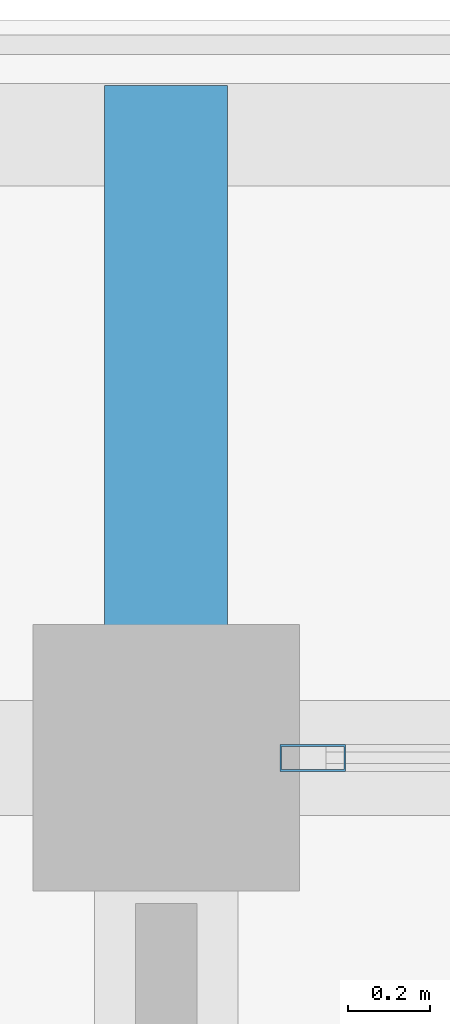
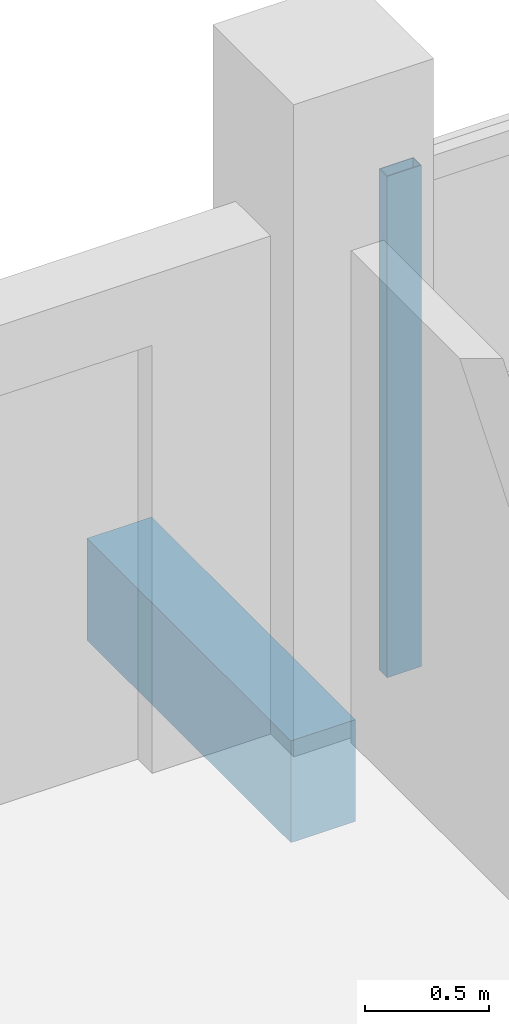
# One storey, part 14 of 76: 1 beam, 1 member, 1 element without a shape of its own.
"""IFC4 building model written with IfcOpenShell, lengths in metres."""

import ifcopenshell
import ifcopenshell.guid

model = None  # the IFC model being written
_history = None  # IfcOwnerHistory: only IFC2X3 demands one
_inside = {}  # id of a spatial element -> (the spatial element, [elements in it])
_under = {}  # id of a project, library or spatial element -> (it, [spatial elements below it])
_declared = {}  # id of a project -> (the project, [libraries it declares])
_typed = {}  # id of a type object -> (the type object, [elements of that type])
_made_of = {}  # id of a material, layer set ... -> (it, [elements and type objects made of it])


def new_model(schema):
    """Start an empty IFC model of exactly this schema.

    Asked for "IFC4X3", IfcOpenShell would pick the latest addendum, in which some entities
    have other attributes; the version numbers below select the first issue.
    IFC2X3 requires an IfcOwnerHistory on every rooted entity: one is made here for all.
    """
    global model, _history
    if schema == "IFC4X3":
        model = ifcopenshell.file(schema_version=(4, 3, 0, 0))
    else:
        model = ifcopenshell.file(schema=schema)
    _inside.clear()
    _under.clear()
    _declared.clear()
    _typed.clear()
    _made_of.clear()
    _history = None
    if model.schema == "IFC2X3":
        org = make("IfcOrganization", Name="unknown")
        user = make(
            "IfcPersonAndOrganization",
            ThePerson=make("IfcPerson", FamilyName="unknown"),
            TheOrganization=org,
        )
        app = make(
            "IfcApplication",
            ApplicationDeveloper=org,
            Version="unknown",
            ApplicationFullName="unknown",
            ApplicationIdentifier="unknown",
        )
        _history = make(
            "IfcOwnerHistory",
            OwningUser=user,
            OwningApplication=app,
            ChangeAction="ADDED",
            CreationDate=0,
        )
    return model


def make(cls, **values):
    """One entity of the class cls with the attributes given. An attribute that is None is left unset."""
    return model.create_entity(
        cls, **{name: value for name, value in values.items() if value is not None}
    )


def rooted(cls, **values):
    """An entity with a GlobalId (a new one), such as an element, a storey or a relation."""
    return make(cls, GlobalId=ifcopenshell.guid.new(), OwnerHistory=_history, **values)


def si_unit(unit_type, name, prefix=None):
    """IfcSIUnit, for example si_unit("LENGTHUNIT", "METRE", prefix="MILLI")."""
    return make("IfcSIUnit", UnitType=unit_type, Prefix=prefix, Name=name)


def assignment(units):
    """IfcUnitAssignment: the units of a project."""
    return None if units is None else make("IfcUnitAssignment", Units=units)


def point(xyz):
    """IfcCartesianPoint."""
    return None if xyz is None else make("IfcCartesianPoint", Coordinates=xyz)


def direction(xyz):
    """IfcDirection."""
    return None if xyz is None else make("IfcDirection", DirectionRatios=xyz)


def frame(location, z_axis=None, x_axis=None):
    """IfcAxis2Placement3D, a coordinate frame: its origin and axes. An axis left out is left unset."""
    return make(
        "IfcAxis2Placement3D",
        Location=point(location),
        Axis=direction(z_axis),
        RefDirection=direction(x_axis),
    )


def frame_2d(location, x_axis=None):
    """IfcAxis2Placement2D, a coordinate frame in the plane: its origin and x axis."""
    return make(
        "IfcAxis2Placement2D", Location=point(location), RefDirection=direction(x_axis)
    )


def origin():
    """The frame at (0, 0, 0) with its axes left unset."""
    return frame((0.0, 0.0, 0.0))


def origin_2d():
    """The frame at (0, 0) in the plane with its x axis left unset."""
    return frame_2d((0.0, 0.0))


def place(relative_to, where):
    """IfcLocalPlacement: puts the frame where relative to a parent placement (None: the world)."""
    return make(
        "IfcLocalPlacement", PlacementRelTo=relative_to, RelativePlacement=where
    )


def context(
    kind, dimensions, precision=None, world=None, true_north=None, identifier=None
):
    """IfcGeometricRepresentationContext, for example the 3D "Model" context."""
    return make(
        "IfcGeometricRepresentationContext",
        ContextIdentifier=identifier,
        ContextType=kind,
        CoordinateSpaceDimension=dimensions,
        Precision=precision,
        WorldCoordinateSystem=world,
        TrueNorth=true_north,
    )


def subcontext(parent, identifier, kind, view, scale=None):
    """IfcGeometricRepresentationSubContext, for example "Body" below "Model"."""
    return make(
        "IfcGeometricRepresentationSubContext",
        ContextIdentifier=identifier,
        ContextType=kind,
        ParentContext=parent,
        TargetScale=scale,
        TargetView=view,
    )


def project(units=None, contexts=None):
    """IfcProject with its units and contexts."""
    return rooted(
        "IfcProject",
        Name="project",
        RepresentationContexts=contexts,
        UnitsInContext=assignment(units),
    )


def spatial(cls, under=None, at=None, **own):
    """A site, building, storey or space (cls), placed at a placement, below another one or the project."""
    s = rooted(cls, ObjectPlacement=at, **own)
    if under is not None:
        _under.setdefault(under.id(), (under, []))[1].append(s)
    return s


def profile(cls, at=None, kind="AREA", **sizes):
    """A parametric profile (cls). Its sizes go by their IFC names, for example OverallWidth=200.0."""
    return make(cls, ProfileType=kind, Position=at, **sizes)


def rectangle(**sizes):
    """IfcRectangleProfileDef."""
    return profile("IfcRectangleProfileDef", **sizes)


def hollow_rectangle(**sizes):
    """IfcRectangleHollowProfileDef."""
    return profile("IfcRectangleHollowProfileDef", **sizes)


def extrude(swept, where, along, depth):
    """IfcExtrudedAreaSolid: the profile swept, set in the frame where, extruded along a direction by depth."""
    return make(
        "IfcExtrudedAreaSolid",
        SweptArea=swept,
        Position=where,
        ExtrudedDirection=direction(along),
        Depth=depth,
    )


def shape(context_of_items, identifier, shape_type, items):
    """IfcShapeRepresentation: the items that make up one representation, for example the "Body"."""
    return make(
        "IfcShapeRepresentation",
        ContextOfItems=context_of_items,
        RepresentationIdentifier=identifier,
        RepresentationType=shape_type,
        Items=items,
    )


def material(Name=None, Category=None):
    """IfcMaterial."""
    return make("IfcMaterial", Name=Name, Category=Category)


def material_profile(
    of_material, cross_section, Name=None, Category=None, Priority=None
):
    """IfcMaterialProfile: a cross section and its material."""
    return make(
        "IfcMaterialProfile",
        Name=Name,
        Material=of_material,
        Profile=cross_section,
        Priority=Priority,
        Category=Category,
    )


def profile_set(profiles, Name=None, composite=None):
    """IfcMaterialProfileSet."""
    return make(
        "IfcMaterialProfileSet",
        Name=Name,
        MaterialProfiles=profiles,
        CompositeProfile=composite,
    )


def made_of(thing, what):
    """Note that an element or type object is made of a material, layer set ...; save() writes the relation."""
    if what is not None:
        _made_of.setdefault(what.id(), (what, []))[1].append(thing)
    return thing


def type_object(cls, material=None, **own):
    """A type object (cls), such as IfcWallType, which elements share."""
    return made_of(rooted(cls, **own), material)


def element(
    cls,
    number,
    at=None,
    inside=None,
    cuts=None,
    type_object=None,
    material=None,
    context=None,
    identifier="Body",
    shape_type=None,
    held_by="IfcProductDefinitionShape",
    body=None,
    shapes=None,
    **own,
):
    """One element of the class cls, such as IfcWall. Its Tag is "e" and its number.

    at: its placement. inside: the storey or other place that contains it. cuts: it is an
    opening in that element (IfcRelVoidsElement). A single representation is given by context,
    identifier, shape_type and body (its items); several are given by shapes. held_by: the class
    of the entity that holds the representations. save() writes the other relations.
    """
    e = rooted(cls, Tag="e%d" % number, ObjectPlacement=at, **own)
    if body is not None:
        shapes = [shape(context, identifier, shape_type, body)]
    if shapes is not None:
        e.Representation = make(held_by, Representations=shapes)
    if inside is not None:
        _inside.setdefault(inside.id(), (inside, []))[1].append(e)
    if cuts is not None:
        rooted(
            "IfcRelVoidsElement", RelatingBuildingElement=cuts, RelatedOpeningElement=e
        )
    if type_object is not None:
        _typed.setdefault(type_object.id(), (type_object, []))[1].append(e)
    return made_of(e, material)


def aggregate(whole, parts):
    """IfcRelAggregates: a whole, such as a stair, and the parts it consists of."""
    return rooted("IfcRelAggregates", RelatingObject=whole, RelatedObjects=parts)


def save(model, path):
    """Write the relations noted so far, then the file.

    IfcRelAggregates (storeys below a building ...), IfcRelContainedInSpatialStructure (elements
    in a storey), IfcRelDefinesByType, IfcRelAssociatesMaterial and IfcRelDeclares: one each for
    every whole, place, type object, material and project.
    """
    for whole, parts in _under.values():
        aggregate(whole, parts)
    for where, things in _inside.values():
        rooted(
            "IfcRelContainedInSpatialStructure",
            RelatedElements=things,
            RelatingStructure=where,
        )
    for kind, things in _typed.values():
        rooted("IfcRelDefinesByType", RelatedObjects=things, RelatingType=kind)
    for what, things in _made_of.values():
        rooted("IfcRelAssociatesMaterial", RelatedObjects=things, RelatingMaterial=what)
    for by, libraries in _declared.values():
        rooted("IfcRelDeclares", RelatingContext=by, RelatedDefinitions=libraries)
    model.write(path)


model = new_model("IFC4")

# Units and contexts
model_context = context("Model", 3, precision=1e-05, world=origin(), true_north=direction((0.0, 1.0)))
body_context = subcontext(model_context, "Body", "Model", "MODEL_VIEW")
ifc_project = project(units=[si_unit("LENGTHUNIT", "METRE"), si_unit("AREAUNIT", "SQUARE_METRE"), si_unit("VOLUMEUNIT", "CUBIC_METRE"), si_unit("PLANEANGLEUNIT", "RADIAN"), si_unit("MASSUNIT", "GRAM", prefix="KILO")], contexts=[model_context])

# Site, building, storey
site_placement = place(None, origin())
site = spatial("IfcSite", under=ifc_project, at=site_placement, CompositionType="ELEMENT")
building_placement = place(site_placement, origin())
building = spatial("IfcBuilding", under=site, at=building_placement, Name="Suanplinth Sawtooth Commons", CompositionType="ELEMENT")
storey_placement = place(building_placement, frame((0.0, 0.0, 12.199951171875)))
storey = spatial("IfcBuildingStorey", under=building, at=storey_placement, Name="L03", CompositionType="ELEMENT", Elevation=12.199951171875)

# Beam
ifc_material_1 = material(Name="Precast concrete C40/50", Category="concrete")
ifc_material_profile_1 = material_profile(ifc_material_1, rectangle(XDim=0.300048828125, YDim=0.5, at=origin_2d()), Name="PC-BM 300x500")
ifc_profile_set_1 = profile_set([ifc_material_profile_1], Name="Precast concrete C40/50")
beam_type = type_object("IfcBeamType", Name="B-07", PredefinedType="BEAM", material=ifc_profile_set_1)
beam_placement = place(storey_placement, frame((57.60009765625, 122.39990234375, -0.429931640625), z_axis=(0.0, 1.0, 0.0), x_axis=(-1.0, 0.0, 0.0)))
element("IfcBeam", 1, at=beam_placement, inside=storey, type_object=beam_type, Name="Balcony Outrigger L03-A-N-8", PredefinedType="BEAM", context=body_context, shape_type="SweptSolid", body=[
    extrude(rectangle(XDim=0.300048828125, YDim=0.5, at=origin_2d()), origin(), (0.0, 0.0, 1.0), 1.64013671875),
])

# Curtain wall, member
ifc_material_2 = material(Name="Anodized aluminium and low-E glazing", Category="aluminium")
curtain_wall_type = type_object("IfcCurtainWallType", Name="CW-06", PredefinedType="USERDEFINED", material=ifc_material_2)
curtain_wall_placement = place(storey_placement, origin())
curtain_wall = element("IfcCurtainWall", 2, at=curtain_wall_placement, inside=storey, type_object=curtain_wall_type, Name="Curtain Wall CW-L03-A-LOUNGE-8", ObjectType="CURTAIN WALL", PredefinedType="USERDEFINED")
ifc_material_3 = material(Name="Anodized aluminium 6063-T6", Category="aluminium")
ifc_material_profile_2 = material_profile(ifc_material_3, hollow_rectangle(XDim=0.06494140625, YDim=0.159912109375, WallThickness=0.00390625, at=origin_2d()), Name="ALU-MUL 65x160")
ifc_profile_set_2 = profile_set([ifc_material_profile_2], Name="Anodized aluminium 6063-T6")
member_type = type_object("IfcMemberType", Name="M-13", PredefinedType="MULLION", material=ifc_profile_set_2)
member_placement = place(storey_placement, frame((57.95751953125, 122.39990234375, 0.0), z_axis=(0.0, 0.0, 1.0), x_axis=(0.0, 1.0, 0.0)))
member = element("IfcMember", 3, at=member_placement, type_object=member_type, Name="CW-06 mullion 1", PredefinedType="MULLION", context=body_context, shape_type="SweptSolid", body=[
    extrude(hollow_rectangle(XDim=0.06494140625, YDim=0.159912109375, WallThickness=0.00390625, at=origin_2d()), origin(), (0.0, 0.0, 1.0), 2.4599609375),
])
aggregate(curtain_wall, [member])

save(model, "model.ifc")
